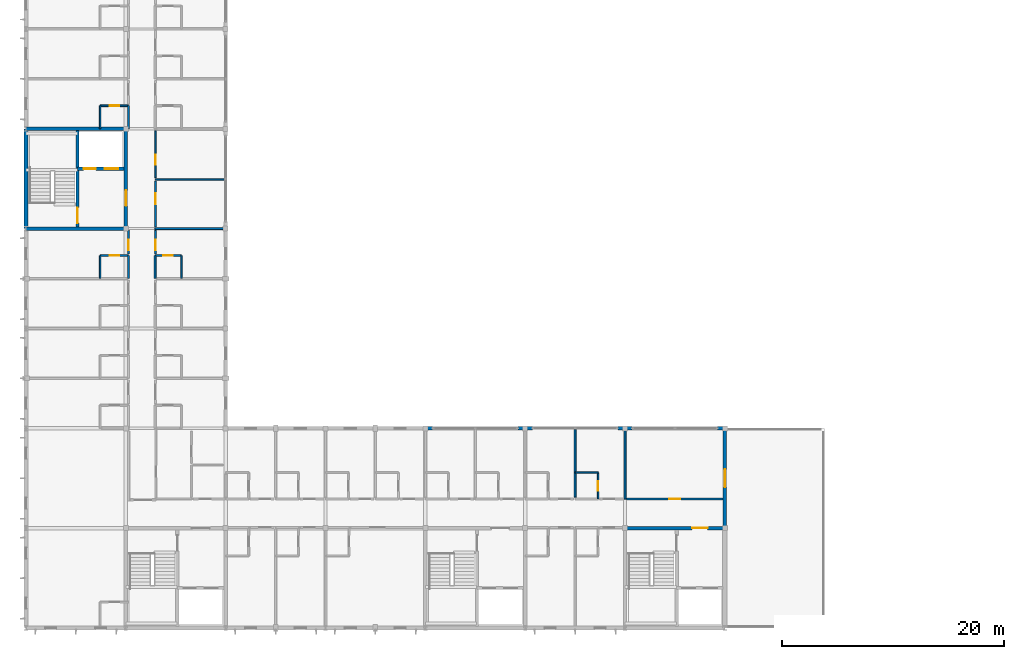
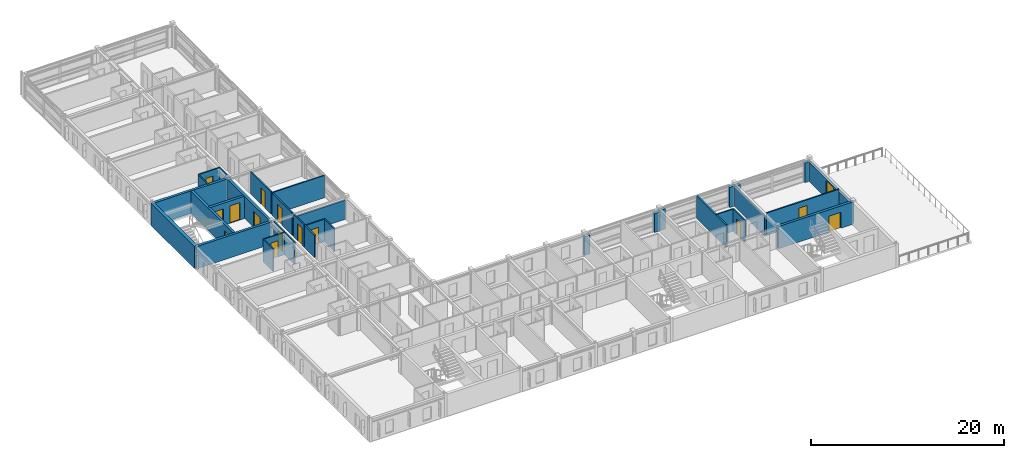
# One storey, part 14 of 24: 34 walls, 15 doors, 15 openings.
"""IFC4 building model written with IfcOpenShell, lengths in metres."""

from ifc_helpers import new_model, si_unit, direction, frame, frame_2d, origin, place, context, subcontext, project, spatial, rectangle, extrude, material, layer, layer_set, type_object, element, fill, save


model = new_model("IFC4")

# Units and contexts
model_context = context("Model", 3, precision=1e-05, world=origin(), true_north=direction((0.0, 1.0)))
body_context = subcontext(model_context, "Body", "Model", "MODEL_VIEW")
ifc_project = project(units=[si_unit("LENGTHUNIT", "METRE"), si_unit("AREAUNIT", "SQUARE_METRE"), si_unit("VOLUMEUNIT", "CUBIC_METRE"), si_unit("PLANEANGLEUNIT", "RADIAN"), si_unit("MASSUNIT", "GRAM", prefix="KILO")], contexts=[model_context])

# Site, building, storey
site_placement = place(None, origin())
site = spatial("IfcSite", under=ifc_project, at=site_placement, CompositionType="ELEMENT")
building_placement = place(site_placement, origin())
building = spatial("IfcBuilding", under=site, at=building_placement, Name="Palais des Congres Ocreval", CompositionType="ELEMENT")
storey_placement = place(building_placement, frame((0.0, 0.0, 17.60009765625)))
storey = spatial("IfcBuildingStorey", under=building, at=storey_placement, Name="L05", CompositionType="ELEMENT", Elevation=17.60009765625)

# Wall, opening, door
ifc_material_1 = material(Name="Moisture-resistant gypsum board")
ifc_layer_1 = layer(ifc_material_1, 0.139892578125)
ifc_layer_set_1 = layer_set([ifc_layer_1], Name="Bathroom Plumbing Chase Wall 140 Gypsum (Moisture-resistant gypsum board)")
wall_type_1 = type_object("IfcWallType", Name="Bathroom Plumbing Chase Wall 140 Gypsum", PredefinedType="PLUMBINGWALL", material=ifc_layer_set_1)
wall_1_placement = place(storey_placement, frame((51.580078125, 11.639892578125, 0.0), z_axis=(0.0, 0.0, 1.0), x_axis=(0.0, 1.0, 0.0)))
wall_1 = element("IfcWall", 1, at=wall_1_placement, inside=storey, type_object=wall_type_1, Name="Bathroom Plumbing Wall PW03 L05", PredefinedType="PLUMBINGWALL", context=body_context, shape_type="SweptSolid", body=[
    extrude(rectangle(XDim=2.360107421875, YDim=0.139892578125, at=frame_2d((1.18017578125, 0.0))), origin(), (0.0, 0.0, 1.0), 2.81982421875),
])
opening_1_placement = place(wall_1_placement, frame((0.7548828125, 0.0, 0.0)))
opening_1 = element("IfcOpeningElement", 2, at=opening_1_placement, cuts=wall_1, Name="Opening D08", PredefinedType="OPENING", context=body_context, shape_type="SweptSolid", body=[
    extrude(rectangle(XDim=0.85009765625, YDim=2.0400390625, at=frame_2d((0.425048828125, 1.02001953125))), frame((0.0, 0.079833984375, 0.0), z_axis=(0.0, -1.0, 0.0), x_axis=(1.0, 0.0, 0.0)), (0.0, 0.0, 1.0), 0.159912109375),
])
ifc_material_2 = material(Name="Solid French oak", Category="wood")
door_type_1 = type_object("IfcDoorType", Name="En-Suite Bathroom Door 850x2040", OperationType="NOTDEFINED", PredefinedType="DOOR", material=ifc_material_2)
door_1_placement = place(opening_1_placement, origin())
door_1 = element("IfcDoor", 3, at=door_1_placement, inside=storey, type_object=door_type_1, Name="En-Suite Bathroom Door D08 L05", OperationType="SINGLE_SWING_RIGHT", OverallHeight=2.0400390625, OverallWidth=0.85009765625, PredefinedType="DOOR", context=body_context, shape_type="SweptSolid", body=[
    extrude(rectangle(XDim=0.85009765625, YDim=2.0400390625, at=frame_2d((0.425048828125, 1.02001953125))), frame((0.0, 0.02490234375, 0.0), z_axis=(0.0, -1.0, 0.0), x_axis=(1.0, 0.0, 0.0)), (0.0, 0.0, 1.0), 0.050048828125),
])
fill(opening_1, door_1)

# Wall
wall_2_placement = place(storey_placement, frame((49.52001953125, 14.0, 0.0), z_axis=(0.0, 0.0, 1.0), x_axis=(1.0, 0.0, 0.0)))
element("IfcWall", 4, at=wall_2_placement, inside=storey, type_object=wall_type_1, Name="Bathroom Plumbing Wall PW03 L05", PredefinedType="PLUMBINGWALL", context=body_context, shape_type="SweptSolid", body=[
    extrude(rectangle(XDim=2.06005859375, YDim=0.139892578125, at=frame_2d((1.030029296875, 0.0))), origin(), (0.0, 0.0, 1.0), 2.81982421875),
])

# Wall, opening, door
wall_3_placement = place(storey_placement, frame((6.679931640625, 33.580078125, 0.0), z_axis=(0.0, 0.0, 1.0), x_axis=(1.0, 0.0, 0.0)))
wall_3 = element("IfcWall", 5, at=wall_3_placement, inside=storey, type_object=wall_type_1, Name="Bathroom Plumbing Wall PW03 L05", PredefinedType="PLUMBINGWALL", context=body_context, shape_type="SweptSolid", body=[
    extrude(rectangle(XDim=2.56005859375, YDim=0.139892578125, at=frame_2d((1.280029296875, 0.0))), origin(), (0.0, 0.0, 1.0), 2.81982421875),
])
opening_2_placement = place(wall_3_placement, frame((0.85498046875, 0.0, 0.0)))
opening_2 = element("IfcOpeningElement", 6, at=opening_2_placement, cuts=wall_3, Name="Opening D08", PredefinedType="OPENING", context=body_context, shape_type="SweptSolid", body=[
    extrude(rectangle(XDim=0.85009765625, YDim=2.0400390625, at=frame_2d((0.425048828125, 1.02001953125))), frame((0.0, 0.079833984375, 0.0), z_axis=(0.0, -1.0, 0.0), x_axis=(1.0, 0.0, 0.0)), (0.0, 0.0, 1.0), 0.159912109375),
])
door_2_placement = place(opening_2_placement, origin())
door_2 = element("IfcDoor", 7, at=door_2_placement, inside=storey, type_object=door_type_1, Name="En-Suite Bathroom Door D08 L05", OperationType="SINGLE_SWING_RIGHT", OverallHeight=2.0400390625, OverallWidth=0.85009765625, PredefinedType="DOOR", context=body_context, shape_type="SweptSolid", body=[
    extrude(rectangle(XDim=0.85009765625, YDim=2.0400390625, at=frame_2d((0.425048828125, 1.02001953125))), frame((0.0, 0.02490234375, 0.0), z_axis=(0.0, -1.0, 0.0), x_axis=(1.0, 0.0, 0.0)), (0.0, 0.0, 1.0), 0.050048828125),
])
fill(opening_2, door_2)

# Wall
wall_4_placement = place(storey_placement, frame((6.679931640625, 31.52001953125, 0.0), z_axis=(0.0, 0.0, 1.0), x_axis=(0.0, 1.0, 0.0)))
element("IfcWall", 8, at=wall_4_placement, inside=storey, type_object=wall_type_1, Name="Bathroom Plumbing Wall PW03 L05", PredefinedType="PLUMBINGWALL", context=body_context, shape_type="SweptSolid", body=[
    extrude(rectangle(XDim=2.06005859375, YDim=0.139892578125, at=frame_2d((1.030029296875, 0.0))), origin(), (0.0, 0.0, 1.0), 2.81982421875),
])

# Wall, opening, door
wall_5_placement = place(storey_placement, frame((11.639892578125, 33.580078125, 0.0), z_axis=(0.0, 0.0, 1.0), x_axis=(1.0, 0.0, 0.0)))
wall_5 = element("IfcWall", 9, at=wall_5_placement, inside=storey, type_object=wall_type_1, Name="Bathroom Plumbing Wall PW03 L05", PredefinedType="PLUMBINGWALL", context=body_context, shape_type="SweptSolid", body=[
    extrude(rectangle(XDim=2.360107421875, YDim=0.139892578125, at=frame_2d((1.18017578125, 0.0))), origin(), (0.0, 0.0, 1.0), 2.81982421875),
])
opening_3_placement = place(wall_5_placement, frame((0.7548828125, 0.0, 0.0)))
opening_3 = element("IfcOpeningElement", 10, at=opening_3_placement, cuts=wall_5, Name="Opening D08", PredefinedType="OPENING", context=body_context, shape_type="SweptSolid", body=[
    extrude(rectangle(XDim=0.85009765625, YDim=2.0400390625, at=frame_2d((0.425048828125, 1.02001953125))), frame((0.0, 0.079833984375, 0.0), z_axis=(0.0, -1.0, 0.0), x_axis=(1.0, 0.0, 0.0)), (0.0, 0.0, 1.0), 0.159912109375),
])
door_3_placement = place(opening_3_placement, origin())
door_3 = element("IfcDoor", 11, at=door_3_placement, inside=storey, type_object=door_type_1, Name="En-Suite Bathroom Door D08 L05", OperationType="SINGLE_SWING_RIGHT", OverallHeight=2.0400390625, OverallWidth=0.85009765625, PredefinedType="DOOR", context=body_context, shape_type="SweptSolid", body=[
    extrude(rectangle(XDim=0.85009765625, YDim=2.0400390625, at=frame_2d((0.425048828125, 1.02001953125))), frame((0.0, 0.02490234375, 0.0), z_axis=(0.0, -1.0, 0.0), x_axis=(1.0, 0.0, 0.0)), (0.0, 0.0, 1.0), 0.050048828125),
])
fill(opening_3, door_3)

# Wall
wall_6_placement = place(storey_placement, frame((14.0, 31.52001953125, 0.0), z_axis=(0.0, 0.0, 1.0), x_axis=(0.0, 1.0, 0.0)))
element("IfcWall", 12, at=wall_6_placement, inside=storey, type_object=wall_type_1, Name="Bathroom Plumbing Wall PW03 L05", PredefinedType="PLUMBINGWALL", context=body_context, shape_type="SweptSolid", body=[
    extrude(rectangle(XDim=2.06005859375, YDim=0.139892578125, at=frame_2d((1.030029296875, 0.0))), origin(), (0.0, 0.0, 1.0), 2.81982421875),
])

# Wall, opening, door
wall_7_placement = place(storey_placement, frame((6.679931640625, 47.080078125, 0.0), z_axis=(0.0, 0.0, 1.0), x_axis=(1.0, 0.0, 0.0)))
wall_7 = element("IfcWall", 13, at=wall_7_placement, inside=storey, type_object=wall_type_1, Name="Bathroom Plumbing Wall PW03 L05", PredefinedType="PLUMBINGWALL", context=body_context, shape_type="SweptSolid", body=[
    extrude(rectangle(XDim=2.56005859375, YDim=0.139892578125, at=frame_2d((1.280029296875, 0.0))), origin(), (0.0, 0.0, 1.0), 2.81982421875),
])
opening_4_placement = place(wall_7_placement, frame((0.85498046875, 0.0, 0.0)))
opening_4 = element("IfcOpeningElement", 14, at=opening_4_placement, cuts=wall_7, Name="Opening D08", PredefinedType="OPENING", context=body_context, shape_type="SweptSolid", body=[
    extrude(rectangle(XDim=0.85009765625, YDim=2.0400390625, at=frame_2d((0.425048828125, 1.02001953125))), frame((0.0, 0.079833984375, 0.0), z_axis=(0.0, -1.0, 0.0), x_axis=(1.0, 0.0, 0.0)), (0.0, 0.0, 1.0), 0.159912109375),
])
door_4_placement = place(opening_4_placement, origin())
door_4 = element("IfcDoor", 15, at=door_4_placement, inside=storey, type_object=door_type_1, Name="En-Suite Bathroom Door D08 L05", OperationType="SINGLE_SWING_LEFT", OverallHeight=2.0400390625, OverallWidth=0.85009765625, PredefinedType="DOOR", context=body_context, shape_type="SweptSolid", body=[
    extrude(rectangle(XDim=0.85009765625, YDim=2.0400390625, at=frame_2d((0.425048828125, 1.02001953125))), frame((0.0, 0.02490234375, 0.0), z_axis=(0.0, -1.0, 0.0), x_axis=(1.0, 0.0, 0.0)), (0.0, 0.0, 1.0), 0.050048828125),
])
fill(opening_4, door_4)

# Walls
wall_8_placement = place(storey_placement, frame((6.679931640625, 45.02001953125, 0.0), z_axis=(0.0, 0.0, 1.0), x_axis=(0.0, 1.0, 0.0)))
element("IfcWall", 16, at=wall_8_placement, inside=storey, type_object=wall_type_1, Name="Bathroom Plumbing Wall PW03 L05", PredefinedType="PLUMBINGWALL", context=body_context, shape_type="SweptSolid", body=[
    extrude(rectangle(XDim=2.06005859375, YDim=0.139892578125, at=frame_2d((1.030029296875, 0.0))), origin(), (0.0, 0.0, 1.0), 2.81982421875),
])
wall_9_placement = place(storey_placement, frame((11.639892578125, 40.43505859375, 0.0), z_axis=(0.0, 0.0, 1.0), x_axis=(1.0, 0.0, 0.0)))
element("IfcWall", 17, at=wall_9_placement, inside=storey, type_object=wall_type_1, Name="Interior Partition PW03 L05", PredefinedType="PLUMBINGWALL", context=body_context, shape_type="SweptSolid", body=[
    extrude(rectangle(XDim=6.26513671875, YDim=0.139892578125, at=frame_2d((3.132568359375, 0.0))), origin(), (0.0, 0.0, 1.0), 2.81982421875),
])

# Wall, opening, door
wall_10_placement = place(storey_placement, frame((11.669921875, 40.590087890625, 0.0), z_axis=(0.0, 0.0, 1.0), x_axis=(0.0, 1.0, 0.0)))
wall_10 = element("IfcWall", 18, at=wall_10_placement, inside=storey, type_object=wall_type_1, Name="Interior Partition PW03 L05", PredefinedType="PLUMBINGWALL", context=body_context, shape_type="SweptSolid", body=[
    extrude(rectangle(XDim=4.22998046875, YDim=0.139892578125, at=frame_2d((2.114990234375, 0.0))), origin(), (0.0, 0.0, 1.0), 2.81982421875),
])
opening_5_placement = place(wall_10_placement, frame((1.157470703125, 0.0, 0.0)))
opening_5 = element("IfcOpeningElement", 19, at=opening_5_placement, cuts=wall_10, Name="Opening D09", PredefinedType="OPENING", context=body_context, shape_type="SweptSolid", body=[
    extrude(rectangle(XDim=0.89990234375, YDim=2.10009765625, at=frame_2d((0.449951171875, 1.050048828125))), frame((0.0, 0.079833984375, 0.0), z_axis=(0.0, -1.0, 0.0), x_axis=(1.0, 0.0, 0.0)), (0.0, 0.0, 1.0), 0.159912109375),
])
door_type_2 = type_object("IfcDoorType", Name="Accessible Restroom Door 900x2100", OperationType="NOTDEFINED", PredefinedType="DOOR", material=ifc_material_2)
door_5_placement = place(opening_5_placement, origin())
door_5 = element("IfcDoor", 20, at=door_5_placement, inside=storey, type_object=door_type_2, Name="Interior Door D09 L05", OperationType="SINGLE_SWING_LEFT", OverallHeight=2.10009765625, OverallWidth=0.89990234375, PredefinedType="DOOR", context=body_context, shape_type="SweptSolid", body=[
    extrude(rectangle(XDim=0.89990234375, YDim=2.10009765625, at=frame_2d((0.449951171875, 1.050048828125))), frame((0.0, 0.02490234375, 0.0), z_axis=(0.0, -1.0, 0.0), x_axis=(1.0, 0.0, 0.0)), (0.0, 0.0, 1.0), 0.050048828125),
])
fill(opening_5, door_5)

# Wall
ifc_material_3 = material(Name="Concrete C40/50", Category="concrete")
ifc_layer_2 = layer(ifc_material_3, 0.300048828125)
ifc_layer_set_2 = layer_set([ifc_layer_2], Name="Core Shear Wall 300 Concrete C40/50")
wall_type_2 = type_object("IfcWallType", Name="Core Shear Wall 300 Concrete C40/50", PredefinedType="SHEAR", material=ifc_layer_set_2)
wall_11_placement = place(storey_placement, frame((0.0, 36.0, 0.0), z_axis=(0.0, 0.0, 1.0), x_axis=(1.0, 0.0, 0.0)))
element("IfcWall", 21, at=wall_11_placement, inside=storey, type_object=wall_type_2, Name="Core Shear Wall SC03 L05 S", PredefinedType="SHEAR", context=body_context, shape_type="SweptSolid", body=[
    extrude(rectangle(XDim=9.0, YDim=0.300048828125, at=frame_2d((4.5, 0.0))), origin(), (0.0, 0.0, 1.0), 2.81982421875),
])

# Wall, opening, door
wall_12_placement = place(storey_placement, frame((9.0, 36.0, 0.0), z_axis=(0.0, 0.0, 1.0), x_axis=(0.0, 1.0, 0.0)))
wall_12 = element("IfcWall", 22, at=wall_12_placement, inside=storey, type_object=wall_type_2, Name="Core Shear Wall SC03 L05 E", PredefinedType="SHEAR", context=body_context, shape_type="SweptSolid", body=[
    extrude(rectangle(XDim=9.0, YDim=0.300048828125, at=frame_2d((4.5, 0.0))), origin(), (0.0, 0.0, 1.0), 2.81982421875),
])
opening_6_placement = place(wall_12_placement, frame((2.050048828125, 0.0, 0.0)))
opening_6 = element("IfcOpeningElement", 23, at=opening_6_placement, cuts=wall_12, Name="Opening D03", PredefinedType="OPENING", context=body_context, shape_type="SweptSolid", body=[
    extrude(rectangle(XDim=1.39990234375, YDim=2.02001953125, at=frame_2d((0.699951171875, 1.010009765625))), frame((0.0, 0.159912109375, 0.0), z_axis=(0.0, -1.0, 0.0), x_axis=(1.0, 0.0, 0.0)), (0.0, 0.0, 1.0), 0.320068359375),
])
ifc_material_4 = material(Name="Painted fire-rated steel", Category="steel")
door_type_3 = type_object("IfcDoorType", Name="Core Lobby Rated Door 1400x2020", OperationType="NOTDEFINED", PredefinedType="DOOR", material=ifc_material_4)
door_6_placement = place(opening_6_placement, origin())
door_6 = element("IfcDoor", 24, at=door_6_placement, inside=storey, type_object=door_type_3, Name="Firefighting Lobby Entrance Door SC03 L05", OperationType="DOUBLE_DOOR_SINGLE_SWING", OverallHeight=2.02001953125, OverallWidth=1.39990234375, PredefinedType="DOOR", context=body_context, shape_type="SweptSolid", body=[
    extrude(rectangle(XDim=1.39990234375, YDim=2.02001953125, at=frame_2d((0.699951171875, 1.010009765625))), frame((0.0, 0.02490234375, 0.0), z_axis=(0.0, -1.0, 0.0), x_axis=(1.0, 0.0, 0.0)), (0.0, 0.0, 1.0), 0.050048828125),
])
fill(opening_6, door_6)

# Wall
wall_13_placement = place(storey_placement, frame((0.0, 45.0, 0.0), z_axis=(0.0, 0.0, 1.0), x_axis=(1.0, 0.0, 0.0)))
element("IfcWall", 25, at=wall_13_placement, inside=storey, type_object=wall_type_2, Name="Core Shear Wall SC03 L05 N", PredefinedType="SHEAR", context=body_context, shape_type="SweptSolid", body=[
    extrude(rectangle(XDim=9.0, YDim=0.300048828125, at=frame_2d((4.5, 0.0))), origin(), (0.0, 0.0, 1.0), 2.81982421875),
])

# Wall, opening, door
wall_14_placement = place(storey_placement, frame((4.64990234375, 36.14990234375, 0.0), z_axis=(0.0, 0.0, 1.0), x_axis=(0.0, 1.0, 0.0)))
wall_14 = element("IfcWall", 26, at=wall_14_placement, inside=storey, type_object=wall_type_2, Name="Core Spine Shear Wall SC03 L05", PredefinedType="SHEAR", context=body_context, shape_type="SweptSolid", body=[
    extrude(rectangle(XDim=8.7001953125, YDim=0.300048828125, at=frame_2d((4.35009765625, 0.0))), origin(), (0.0, 0.0, 1.0), 2.81982421875),
])
opening_7_placement = place(wall_14_placement, frame((0.35009765625, 0.0, 0.0)))
opening_7 = element("IfcOpeningElement", 27, at=opening_7_placement, cuts=wall_14, Name="Opening D03", PredefinedType="OPENING", context=body_context, shape_type="SweptSolid", body=[
    extrude(rectangle(XDim=1.39990234375, YDim=2.02001953125, at=frame_2d((0.699951171875, 1.010009765625))), frame((0.0, 0.159912109375, 0.0), z_axis=(0.0, -1.0, 0.0), x_axis=(1.0, 0.0, 0.0)), (0.0, 0.0, 1.0), 0.320068359375),
])
door_7_placement = place(opening_7_placement, origin())
door_7 = element("IfcDoor", 28, at=door_7_placement, inside=storey, type_object=door_type_3, Name="Protected Exit Stair Door ST03 L05", OperationType="SINGLE_SWING_LEFT", OverallHeight=2.02001953125, OverallWidth=1.39990234375, PredefinedType="DOOR", context=body_context, shape_type="SweptSolid", body=[
    extrude(rectangle(XDim=1.39990234375, YDim=2.02001953125, at=frame_2d((0.699951171875, 1.010009765625))), frame((0.0, 0.02490234375, 0.0), z_axis=(0.0, -1.0, 0.0), x_axis=(1.0, 0.0, 0.0)), (0.0, 0.0, 1.0), 0.050048828125),
])
fill(opening_7, door_7)

# Wall, openings, doors
wall_15_placement = place(storey_placement, frame((4.64990234375, 41.39990234375, 0.0), z_axis=(0.0, 0.0, 1.0), x_axis=(1.0, 0.0, 0.0)))
wall_15 = element("IfcWall", 29, at=wall_15_placement, inside=storey, type_object=wall_type_2, Name="Lift Shaft Front Wall SC03 L05", PredefinedType="SHEAR", context=body_context, shape_type="SweptSolid", body=[
    extrude(rectangle(XDim=4.2001953125, YDim=0.300048828125, at=frame_2d((2.10009765625, 0.0))), origin(), (0.0, 0.0, 1.0), 2.81982421875),
])
opening_8_placement = place(wall_15_placement, frame((0.550048828125, 0.0, 0.0)))
opening_8 = element("IfcOpeningElement", 30, at=opening_8_placement, cuts=wall_15, Name="Opening LD01", PredefinedType="OPENING", context=body_context, shape_type="SweptSolid", body=[
    extrude(rectangle(XDim=1.10009765625, YDim=2.10009765625, at=frame_2d((0.550048828125, 1.050048828125))), frame((0.0, 0.159912109375, 0.0), z_axis=(0.0, -1.0, 0.0), x_axis=(1.0, 0.0, 0.0)), (0.0, 0.0, 1.0), 0.320068359375),
])
opening_9_placement = place(wall_15_placement, frame((2.449951171875, 0.0, 0.0)))
opening_9 = element("IfcOpeningElement", 31, at=opening_9_placement, cuts=wall_15, Name="Opening LD02", PredefinedType="OPENING", context=body_context, shape_type="SweptSolid", body=[
    extrude(rectangle(XDim=1.199951171875, YDim=2.199951171875, at=frame_2d((0.60009765625, 1.10009765625))), frame((0.0, 0.159912109375, 0.0), z_axis=(0.0, -1.0, 0.0), x_axis=(1.0, 0.0, 0.0)), (0.0, 0.0, 1.0), 0.320068359375),
])
ifc_material_5 = material(Name="Stainless steel", Category="steel")
door_type_4 = type_object("IfcDoorType", Name="Firefighting Lift Sliding Landing Door 1100x2100", OperationType="NOTDEFINED", PredefinedType="DOOR", material=ifc_material_5)
door_8_placement = place(opening_8_placement, origin())
door_8 = element("IfcDoor", 32, at=door_8_placement, inside=storey, type_object=door_type_4, Name="Lift Landing Sliding Door FF3 L05", OperationType="DOUBLE_DOOR_SLIDING", OverallHeight=2.10009765625, OverallWidth=1.10009765625, PredefinedType="DOOR", context=body_context, shape_type="SweptSolid", body=[
    extrude(rectangle(XDim=1.10009765625, YDim=2.10009765625, at=frame_2d((0.550048828125, 1.050048828125))), frame((0.0, 0.02490234375, 0.0), z_axis=(0.0, -1.0, 0.0), x_axis=(1.0, 0.0, 0.0)), (0.0, 0.0, 1.0), 0.050048828125),
])
fill(opening_8, door_8)
ifc_material_6 = material(Name="Anodized bronze steel", Category="steel")
door_type_5 = type_object("IfcDoorType", Name="Passenger and Service Lift Sliding Door 1200x2200", OperationType="NOTDEFINED", PredefinedType="DOOR", material=ifc_material_6)
door_9_placement = place(opening_9_placement, origin())
door_9 = element("IfcDoor", 33, at=door_9_placement, inside=storey, type_object=door_type_5, Name="Lift Landing Sliding Door PL3 L05", OperationType="DOUBLE_DOOR_SLIDING", OverallHeight=2.199951171875, OverallWidth=1.199951171875, PredefinedType="DOOR", context=body_context, shape_type="SweptSolid", body=[
    extrude(rectangle(XDim=1.199951171875, YDim=2.199951171875, at=frame_2d((0.60009765625, 1.10009765625))), frame((0.0, 0.02490234375, 0.0), z_axis=(0.0, -1.0, 0.0), x_axis=(1.0, 0.0, 0.0)), (0.0, 0.0, 1.0), 0.050048828125),
])
fill(opening_9, door_9)

# Wall, opening, door
wall_16_placement = place(storey_placement, frame((54.0, 9.0, 0.0), z_axis=(0.0, 0.0, 1.0), x_axis=(1.0, 0.0, 0.0)))
wall_16 = element("IfcWall", 34, at=wall_16_placement, inside=storey, type_object=wall_type_2, Name="Core Shear Wall SC04 L05 N", PredefinedType="SHEAR", context=body_context, shape_type="SweptSolid", body=[
    extrude(rectangle(XDim=9.0, YDim=0.300048828125, at=frame_2d((4.5, 0.0))), origin(), (0.0, 0.0, 1.0), 2.81982421875),
])
opening_10_placement = place(wall_16_placement, frame((6.050048828125, 0.0, 0.0)))
opening_10 = element("IfcOpeningElement", 35, at=opening_10_placement, cuts=wall_16, Name="Opening D03", PredefinedType="OPENING", context=body_context, shape_type="SweptSolid", body=[
    extrude(rectangle(XDim=1.39990234375, YDim=2.02001953125, at=frame_2d((0.699951171875, 1.010009765625))), frame((0.0, 0.159912109375, 0.0), z_axis=(0.0, -1.0, 0.0), x_axis=(1.0, 0.0, 0.0)), (0.0, 0.0, 1.0), 0.320068359375),
])
door_10_placement = place(opening_10_placement, origin())
door_10 = element("IfcDoor", 36, at=door_10_placement, inside=storey, type_object=door_type_3, Name="Lobby Entrance Door SC04 L05", OperationType="DOUBLE_DOOR_SINGLE_SWING", OverallHeight=2.02001953125, OverallWidth=1.39990234375, PredefinedType="DOOR", context=body_context, shape_type="SweptSolid", body=[
    extrude(rectangle(XDim=1.39990234375, YDim=2.02001953125, at=frame_2d((0.699951171875, 1.010009765625))), frame((0.0, 0.02490234375, 0.0), z_axis=(0.0, -1.0, 0.0), x_axis=(1.0, 0.0, 0.0)), (0.0, 0.0, 1.0), 0.050048828125),
])
fill(opening_10, door_10)

# Walls
ifc_material_7 = material(Name="Gypsum acoustic partition")
ifc_layer_3 = layer(ifc_material_7, 0.159912109375)
ifc_layer_set_3 = layer_set([ifc_layer_3], Name="Corridor Fire Partition 160 Gypsum (Gypsum acoustic partition)")
wall_type_3 = type_object("IfcWallType", Name="Corridor Fire Partition 160 Gypsum", PredefinedType="PARTITIONING", material=ifc_layer_set_3)
for number, where, z_axis, x_axis, name in (
    (37, (9.239990234375, 31.52001953125, 0.0), (0.0, 0.0, 1.0), (0.0, 1.0, 0.0), "Corridor Partition IW03 L05"),
    (38, (11.639892578125, 31.52001953125, 0.0), (0.0, 0.0, 1.0), (0.0, 1.0, 0.0), "Corridor Partition IW03 L05"),
    (39, (9.239990234375, 45.02001953125, 0.0), (0.0, 0.0, 1.0), (0.0, 1.0, 0.0), "Corridor Partition IW03 L05"),
):
    element("IfcWall", number, at=place(storey_placement, frame(where, z_axis=z_axis, x_axis=x_axis)), inside=storey, type_object=wall_type_3, Name=name, PredefinedType="PARTITIONING", context=body_context, shape_type="SweptSolid", body=[
        extrude(rectangle(XDim=2.06005859375, YDim=0.159912109375, at=frame_2d((1.030029296875, 0.0))), origin(), (0.0, 0.0, 1.0), 2.81982421875),
    ])

# Wall, opening, door
wall_17_placement = place(storey_placement, frame((54.155029296875, 11.635009765625, 0.0), z_axis=(0.0, 0.0, 1.0), x_axis=(1.0, 0.0, 0.0)))
wall_17 = element("IfcWall", 40, at=wall_17_placement, inside=storey, type_object=wall_type_3, Name="Interior Partition IW03 L05", PredefinedType="PARTITIONING", context=body_context, shape_type="SweptSolid", body=[
    extrude(rectangle(XDim=8.669921875, YDim=0.159912109375, at=frame_2d((4.3349609375, 0.0))), origin(), (0.0, 0.0, 1.0), 2.81982421875),
])
opening_11_placement = place(wall_17_placement, frame((3.8349609375, 0.0, 0.0)))
opening_11 = element("IfcOpeningElement", 41, at=opening_11_placement, cuts=wall_17, Name="Opening D10", PredefinedType="OPENING", context=body_context, shape_type="SweptSolid", body=[
    extrude(rectangle(XDim=1.0, YDim=2.10009765625, at=frame_2d((0.5, 1.050048828125))), frame((0.0, 0.08984375, 0.0), z_axis=(0.0, -1.0, 0.0), x_axis=(1.0, 0.0, 0.0)), (0.0, 0.0, 1.0), 0.179931640625),
])
ifc_material_8 = material(Name="Painted steel", Category="steel")
door_type_6 = type_object("IfcDoorType", Name="Service and Pantry Door 1000x2100", OperationType="NOTDEFINED", PredefinedType="DOOR", material=ifc_material_8)
door_11_placement = place(opening_11_placement, origin())
door_11 = element("IfcDoor", 42, at=door_11_placement, inside=storey, type_object=door_type_6, Name="Interior Door D10 L05", OperationType="SINGLE_SWING_LEFT", OverallHeight=2.10009765625, OverallWidth=1.0, PredefinedType="DOOR", context=body_context, shape_type="SweptSolid", body=[
    extrude(rectangle(XDim=1.0, YDim=2.10009765625, at=frame_2d((0.5, 1.050048828125))), frame((0.0, 0.02490234375, 0.0), z_axis=(0.0, -1.0, 0.0), x_axis=(1.0, 0.0, 0.0)), (0.0, 0.0, 1.0), 0.050048828125),
])
fill(opening_11, door_11)

wall_18_placement = place(storey_placement, frame((9.25, 33.735107421875, 0.0), z_axis=(0.0, 0.0, 1.0), x_axis=(0.0, 1.0, 0.0)))
wall_18 = element("IfcWall", 43, at=wall_18_placement, inside=storey, type_object=wall_type_3, Name="Interior Partition IW03 L05", PredefinedType="PARTITIONING", context=body_context, shape_type="SweptSolid", body=[
    extrude(rectangle(XDim=2.10986328125, YDim=0.159912109375, at=frame_2d((1.054931640625, 0.0))), origin(), (0.0, 0.0, 1.0), 2.81982421875),
])
opening_12_placement = place(wall_18_placement, frame((0.326904296875, 0.0, 0.0)))
opening_12 = element("IfcOpeningElement", 44, at=opening_12_placement, cuts=wall_18, Name="Opening D05", PredefinedType="OPENING", context=body_context, shape_type="SweptSolid", body=[
    extrude(rectangle(XDim=0.949951171875, YDim=2.14990234375, at=frame_2d((0.47509765625, 1.074951171875))), frame((0.0, 0.08984375, 0.0), z_axis=(0.0, -1.0, 0.0), x_axis=(1.0, 0.0, 0.0)), (0.0, 0.0, 1.0), 0.179931640625),
])
door_type_7 = type_object("IfcDoorType", Name="Hotel Guestroom Entrance Door 950x2150", OperationType="NOTDEFINED", PredefinedType="DOOR", material=ifc_material_2)
door_12_placement = place(opening_12_placement, origin())
door_12 = element("IfcDoor", 45, at=door_12_placement, inside=storey, type_object=door_type_7, Name="Interior Door D05 L05", OperationType="SINGLE_SWING_RIGHT", OverallHeight=2.14990234375, OverallWidth=0.949951171875, PredefinedType="DOOR", context=body_context, shape_type="SweptSolid", body=[
    extrude(rectangle(XDim=0.949951171875, YDim=2.14990234375, at=frame_2d((0.47509765625, 1.074951171875))), frame((0.0, 0.02490234375, 0.0), z_axis=(0.0, -1.0, 0.0), x_axis=(1.0, 0.0, 0.0)), (0.0, 0.0, 1.0), 0.050048828125),
])
fill(opening_12, door_12)

wall_19_placement = place(storey_placement, frame((11.669921875, 33.735107421875, 0.0), z_axis=(0.0, 0.0, 1.0), x_axis=(0.0, 1.0, 0.0)))
wall_19 = element("IfcWall", 46, at=wall_19_placement, inside=storey, type_object=wall_type_3, Name="Interior Partition IW03 L05", PredefinedType="PARTITIONING", context=body_context, shape_type="SweptSolid", body=[
    extrude(rectangle(XDim=2.10986328125, YDim=0.159912109375, at=frame_2d((1.054931640625, 0.0))), origin(), (0.0, 0.0, 1.0), 2.81982421875),
])
opening_13_placement = place(wall_19_placement, frame((0.326904296875, 0.0, 0.0)))
opening_13 = element("IfcOpeningElement", 47, at=opening_13_placement, cuts=wall_19, Name="Opening D05", PredefinedType="OPENING", context=body_context, shape_type="SweptSolid", body=[
    extrude(rectangle(XDim=0.949951171875, YDim=2.14990234375, at=frame_2d((0.47509765625, 1.074951171875))), frame((0.0, 0.08984375, 0.0), z_axis=(0.0, -1.0, 0.0), x_axis=(1.0, 0.0, 0.0)), (0.0, 0.0, 1.0), 0.179931640625),
])
door_13_placement = place(opening_13_placement, origin())
door_13 = element("IfcDoor", 48, at=door_13_placement, inside=storey, type_object=door_type_7, Name="Interior Door D05 L05", OperationType="SINGLE_SWING_RIGHT", OverallHeight=2.14990234375, OverallWidth=0.949951171875, PredefinedType="DOOR", context=body_context, shape_type="SweptSolid", body=[
    extrude(rectangle(XDim=0.949951171875, YDim=2.14990234375, at=frame_2d((0.47509765625, 1.074951171875))), frame((0.0, 0.02490234375, 0.0), z_axis=(0.0, -1.0, 0.0), x_axis=(1.0, 0.0, 0.0)), (0.0, 0.0, 1.0), 0.050048828125),
])
fill(opening_13, door_13)

wall_20_placement = place(storey_placement, frame((11.669921875, 36.155029296875, 0.0), z_axis=(0.0, 0.0, 1.0), x_axis=(0.0, 1.0, 0.0)))
wall_20 = element("IfcWall", 49, at=wall_20_placement, inside=storey, type_object=wall_type_3, Name="Interior Partition IW03 L05", PredefinedType="PARTITIONING", context=body_context, shape_type="SweptSolid", body=[
    extrude(rectangle(XDim=4.125, YDim=0.159912109375, at=frame_2d((2.0625, 0.0))), origin(), (0.0, 0.0, 1.0), 2.81982421875),
])
opening_14_placement = place(wall_20_placement, frame((2.0576171875, 0.0, 0.0)))
opening_14 = element("IfcOpeningElement", 50, at=opening_14_placement, cuts=wall_20, Name="Opening D10", PredefinedType="OPENING", context=body_context, shape_type="SweptSolid", body=[
    extrude(rectangle(XDim=1.0, YDim=2.10009765625, at=frame_2d((0.5, 1.050048828125))), frame((0.0, 0.08984375, 0.0), z_axis=(0.0, -1.0, 0.0), x_axis=(1.0, 0.0, 0.0)), (0.0, 0.0, 1.0), 0.179931640625),
])
door_14_placement = place(opening_14_placement, origin())
door_14 = element("IfcDoor", 51, at=door_14_placement, inside=storey, type_object=door_type_6, Name="Interior Door D10 L05", OperationType="SINGLE_SWING_RIGHT", OverallHeight=2.10009765625, OverallWidth=1.0, PredefinedType="DOOR", context=body_context, shape_type="SweptSolid", body=[
    extrude(rectangle(XDim=1.0, YDim=2.10009765625, at=frame_2d((0.5, 1.050048828125))), frame((0.0, 0.02490234375, 0.0), z_axis=(0.0, -1.0, 0.0), x_axis=(1.0, 0.0, 0.0)), (0.0, 0.0, 1.0), 0.050048828125),
])
fill(opening_14, door_14)

# Walls
ifc_layer_4 = layer(ifc_material_7, 0.179931640625)
ifc_layer_set_4 = layer_set([ifc_layer_4], Name="Hotel Inter-Room Acoustic Partition 180 Gypsum (Gypsum acoustic partition)")
wall_type_4 = type_object("IfcWallType", Name="Hotel Inter-Room Acoustic Partition 180 Gypsum", PredefinedType="PARTITIONING", material=ifc_layer_set_4)
wall_21_placement = place(storey_placement, frame((49.5, 11.794921875, 0.0), z_axis=(0.0, 0.0, 1.0), x_axis=(0.0, 1.0, 0.0)))
element("IfcWall", 52, at=wall_21_placement, inside=storey, type_object=wall_type_4, Name="Hotel Party Partition IW02 L05", PredefinedType="PARTITIONING", context=body_context, shape_type="SweptSolid", body=[
    extrude(rectangle(XDim=6.110107421875, YDim=0.179931640625, at=frame_2d((3.05517578125, 0.0))), origin(), (0.0, 0.0, 1.0), 2.81982421875),
])
wall_22_placement = place(storey_placement, frame((54.0, 11.6201171875, 0.0), z_axis=(0.0, 0.0, 1.0), x_axis=(0.0, 1.0, 0.0)))
element("IfcWall", 53, at=wall_22_placement, inside=storey, type_object=wall_type_4, Name="Hotel Party Partition IW02 L05", PredefinedType="PARTITIONING", context=body_context, shape_type="SweptSolid", body=[
    extrude(rectangle(XDim=6.204833984375, YDim=0.179931640625, at=frame_2d((3.1025390625, 0.0))), origin(), (0.0, 0.0, 1.0), 2.47998046875),
])
wall_23_placement = place(storey_placement, frame((11.6201171875, 36.0, 0.0), z_axis=(0.0, 0.0, 1.0), x_axis=(1.0, 0.0, 0.0)))
element("IfcWall", 54, at=wall_23_placement, inside=storey, type_object=wall_type_4, Name="Hotel Party Partition IW02 L05", PredefinedType="PARTITIONING", context=body_context, shape_type="SweptSolid", body=[
    extrude(rectangle(XDim=6.204833984375, YDim=0.179931640625, at=frame_2d((3.1025390625, 0.0))), origin(), (0.0, 0.0, 1.0), 2.419921875),
])
ifc_layer_5 = layer(ifc_material_3, 0.3798828125)
ifc_layer_set_5 = layer_set([ifc_layer_5], Name="Lutetian Limestone Street Wall 380 Concrete C40/50")
wall_type_5 = type_object("IfcWallType", Name="Lutetian Limestone Street Wall 380 Concrete C40/50", PredefinedType="SOLIDWALL", material=ifc_layer_set_5)
wall_24_placement = place(storey_placement, frame((0.0, 36.0, 0.0), z_axis=(0.0, 0.0, 1.0), x_axis=(0.0, 1.0, 0.0)))
element("IfcWall", 55, at=wall_24_placement, inside=storey, type_object=wall_type_5, Name="Core Perimeter Shear Wall EW03 SC03 L05", PredefinedType="SOLIDWALL", context=body_context, shape_type="SweptSolid", body=[
    extrude(rectangle(XDim=9.0, YDim=0.3798828125, at=frame_2d((4.5, 0.0))), origin(), (0.0, 0.0, 1.0), 2.81982421875),
])

# Wall, opening, door
ifc_layer_6 = layer(ifc_material_3, 0.340087890625)
ifc_layer_set_6 = layer_set([ifc_layer_6], Name="Ochre Mineral-Lime Courtyard Wall 340 Concrete C40/50")
wall_type_6 = type_object("IfcWallType", Name="Ochre Mineral-Lime Courtyard Wall 340 Concrete C40/50", PredefinedType="SOLIDWALL", material=ifc_layer_set_6)
wall_25_placement = place(storey_placement, frame((63.0, 17.844970703125, 0.0), z_axis=(0.0, 0.0, 1.0), x_axis=(0.0, -1.0, 0.0)))
wall_25 = element("IfcWall", 56, at=wall_25_placement, inside=storey, type_object=wall_type_6, Name="Exterior Wall EW04 L05", PredefinedType="SOLIDWALL", context=body_context, shape_type="SweptSolid", body=[
    extrude(rectangle(XDim=8.715087890625, YDim=0.340087890625, at=frame_2d((4.357421875, 0.0))), origin(), (0.0, 0.0, 1.0), 2.449951171875),
])
opening_15_placement = place(wall_25_placement, frame((3.544921875, 0.0, 0.0)))
opening_15 = element("IfcOpeningElement", 57, at=opening_15_placement, cuts=wall_25, Name="Opening TD02", PredefinedType="OPENING", context=body_context, shape_type="SweptSolid", body=[
    extrude(rectangle(XDim=1.60009765625, YDim=2.25, at=frame_2d((0.800048828125, 1.125))), frame((0.0, 0.179931640625, 0.0), z_axis=(0.0, -1.0, 0.0), x_axis=(1.0, 0.0, 0.0)), (0.0, 0.0, 1.0), 0.360107421875),
])
ifc_material_9 = material(Name="Anodized bronze aluminium and safety glass", Category="aluminium")
door_type_8 = type_object("IfcDoorType", Name="Suite Terrace French Door 1600x2250", OperationType="NOTDEFINED", PredefinedType="DOOR", material=ifc_material_9)
door_15_placement = place(opening_15_placement, origin())
door_15 = element("IfcDoor", 58, at=door_15_placement, inside=storey, type_object=door_type_8, Name="Terrace Access Door Hotel East Sunset Terrace", OperationType="DOUBLE_DOOR_SINGLE_SWING", OverallHeight=2.25, OverallWidth=1.60009765625, PredefinedType="DOOR", context=body_context, shape_type="SweptSolid", body=[
    extrude(rectangle(XDim=1.60009765625, YDim=2.25, at=frame_2d((0.800048828125, 1.125))), frame((0.0, 0.02490234375, 0.0), z_axis=(0.0, -1.0, 0.0), x_axis=(1.0, 0.0, 0.0)), (0.0, 0.0, 1.0), 0.050048828125),
])
fill(opening_15, door_15)

# Walls
for number, where, z_axis, x_axis, name in (
    (59, (36.0, 18.0, 0.0), (0.0, 0.0, 1.0), (1.0, 0.0, 0.0), "Facade Pier EW04 L05"),
    (60, (44.35009765625, 18.0, 0.0), (0.0, 0.0, 1.0), (1.0, 0.0, 0.0), "Facade Pier EW04 L05"),
):
    element("IfcWall", number, at=place(storey_placement, frame(where, z_axis=z_axis, x_axis=x_axis)), inside=storey, type_object=wall_type_6, Name=name, PredefinedType="SOLIDWALL", context=body_context, shape_type="SweptSolid", body=[
        extrude(rectangle(XDim=0.64990234375, YDim=0.340087890625, at=frame_2d((0.324951171875, 0.0))), origin(), (0.0, 0.0, 1.0), 2.3798828125),
    ])
for number, where, z_axis, x_axis, name in (
    (61, (45.0, 18.0, 0.0), (0.0, 0.0, 1.0), (1.0, 0.0, 0.0), "Facade Pier EW04 L05"),
    (62, (53.35009765625, 18.0, 0.0), (0.0, 0.0, 1.0), (1.0, 0.0, 0.0), "Facade Pier EW04 L05"),
):
    element("IfcWall", number, at=place(storey_placement, frame(where, z_axis=z_axis, x_axis=x_axis)), inside=storey, type_object=wall_type_6, Name=name, PredefinedType="SOLIDWALL", context=body_context, shape_type="SweptSolid", body=[
        extrude(rectangle(XDim=0.64990234375, YDim=0.340087890625, at=frame_2d((0.324951171875, 0.0))), origin(), (0.0, 0.0, 1.0), 2.5498046875),
    ])
for number, where, z_axis, x_axis, name in (
    (63, (54.0, 18.0, 0.0), (0.0, 0.0, 1.0), (1.0, 0.0, 0.0), "Facade Pier EW04 L05"),
    (64, (62.35009765625, 18.0, 0.0), (0.0, 0.0, 1.0), (1.0, 0.0, 0.0), "Facade Pier EW04 L05"),
):
    element("IfcWall", number, at=place(storey_placement, frame(where, z_axis=z_axis, x_axis=x_axis)), inside=storey, type_object=wall_type_6, Name=name, PredefinedType="SOLIDWALL", context=body_context, shape_type="SweptSolid", body=[
        extrude(rectangle(XDim=0.64990234375, YDim=0.340087890625, at=frame_2d((0.324951171875, 0.0))), origin(), (0.0, 0.0, 1.0), 2.47998046875),
    ])

save(model, "model.ifc")
